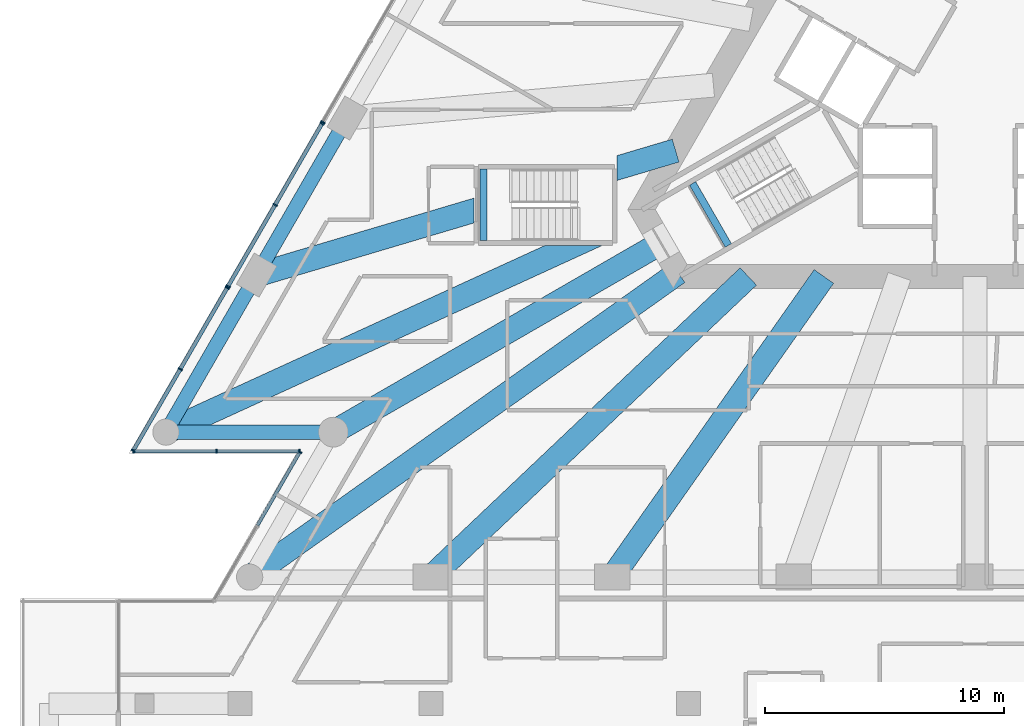
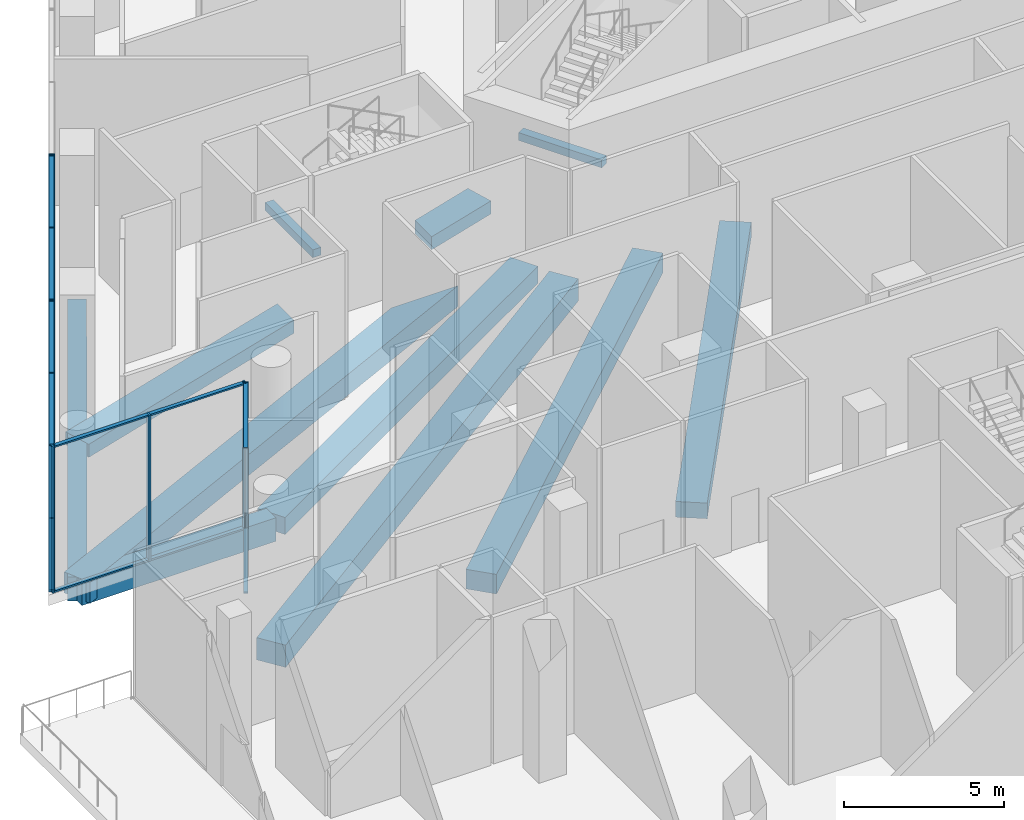
# One storey, part 9 of 36: 25 members, 12 beams, 5 elements without a shape of their own.
"""IFC4 building model written with IfcOpenShell, lengths in metres."""

from ifc_helpers import new_model, si_unit, direction, frame, origin, origin_2d, place, context, subcontext, project, spatial, rectangle, extrude, clip, halfspace, material, layer, layer_set, material_profile, profile_set, type_object, element, aggregate, save


model = new_model("IFC4")

# Units and contexts
model_context = context("Model", 3, precision=1e-05, world=origin(), true_north=direction((0.0, 1.0)))
body_context = subcontext(model_context, "Body", "Model", "MODEL_VIEW")
ifc_project = project(units=[si_unit("LENGTHUNIT", "METRE"), si_unit("AREAUNIT", "SQUARE_METRE"), si_unit("VOLUMEUNIT", "CUBIC_METRE"), si_unit("PLANEANGLEUNIT", "RADIAN"), si_unit("MASSUNIT", "GRAM", prefix="KILO")], contexts=[model_context])

# Site, building, storey
site_placement = place(None, origin())
site = spatial("IfcSite", under=ifc_project, at=site_placement, CompositionType="ELEMENT")
building_placement = place(site_placement, origin())
building = spatial("IfcBuilding", under=site, at=building_placement, Name="Triada Interchange Tower", CompositionType="ELEMENT")
storey_placement = place(building_placement, frame((0.0, 0.0, 8.5)))
storey = spatial("IfcBuildingStorey", under=building, at=storey_placement, Name="L01", CompositionType="ELEMENT", Elevation=8.5)

# Beams
ifc_material_1 = material(Name="Concrete C35/45", Category="concrete")
ifc_material_profile_1 = material_profile(ifc_material_1, rectangle(XDim=0.300048828125, YDim=0.300048828125, at=origin_2d()), Name="RC 300x300")
ifc_profile_set_1 = profile_set([ifc_material_profile_1], Name="Concrete C35/45")
beam_type_1 = type_object("IfcBeamType", Name="Landing support beam RC 300x300", PredefinedType="BEAM", material=ifc_profile_set_1)
beam_1_placement = place(storey_placement, frame((-11.8349609375, -5.10107421875, 2.491943359375), z_axis=(0.50002537861, -0.866010750942, 0.0), x_axis=(0.866010750942, 0.50002537861, 0.0)))
element("IfcBeam", 1, at=beam_1_placement, inside=storey, type_object=beam_type_1, Name="Landing support beam S01-2 1", PredefinedType="BEAM", context=body_context, shape_type="SweptSolid", body=[
    extrude(rectangle(XDim=0.300048828125, YDim=0.300048828125, at=origin_2d()), origin(), (0.0, 0.0, 1.0), 2.999755859375),
])
beam_2_placement = place(storey_placement, frame((-20.60009765625, -4.5, 2.491943359375), z_axis=(0.0, -1.0, 0.0), x_axis=(1.0, 0.0, 0.0)))
element("IfcBeam", 2, at=beam_2_placement, inside=storey, type_object=beam_type_1, Name="Landing support beam S01-6 1", PredefinedType="BEAM", context=body_context, shape_type="SweptSolid", body=[
    extrude(rectangle(XDim=0.300048828125, YDim=0.300048828125, at=origin_2d()), origin(), (0.0, 0.0, 1.0), 3.0),
])

# Curtain wall, member
ifc_material_2 = material(Name="Aluminium framed glazing", Category="aluminium")
ifc_layer_1 = layer(ifc_material_2, 0.199951171875)
ifc_layer_set_1 = layer_set([ifc_layer_1], Name="Curtain wall Concourse glazed screen")
curtain_wall_type_1 = type_object("IfcCurtainWallType", Name="Curtain wall Concourse glazed screen", PredefinedType="NOTDEFINED", material=ifc_layer_set_1)
curtain_wall_1_placement = place(storey_placement, origin())
curtain_wall_1 = element("IfcCurtainWall", 3, at=curtain_wall_1_placement, inside=storey, type_object=curtain_wall_type_1, Name="Concourse glazed screen CW032 L01", PredefinedType="NOTDEFINED")
ifc_material_3 = material(Name="Aluminium", Category="aluminium")
ifc_material_profile_2 = material_profile(ifc_material_3, rectangle(XDim=0.199951171875, YDim=0.06005859375, at=origin_2d()), Name="Aluminium mullion")
ifc_profile_set_2 = profile_set([ifc_material_profile_2], Name="Aluminium")
member_type_1 = type_object("IfcMemberType", Name="Mullion Concourse glazed screen 200x60", PredefinedType="MULLION", material=ifc_profile_set_2)
member_1_placement = place(storey_placement, frame((-27.326904296875, -2.531982421875, 0.0), z_axis=(0.0, 0.0, 1.0), x_axis=(0.866055473648, -0.499947913852, 0.0)))
member_1 = element("IfcMember", 4, at=member_1_placement, type_object=member_type_1, Name="CW032 mullion 3", PredefinedType="MULLION", context=body_context, shape_type="SweptSolid", body=[
    extrude(rectangle(XDim=0.199951171875, YDim=0.06005859375, at=origin_2d()), origin(), (0.0, 0.0, 1.0), 5.60009765625),
])
aggregate(curtain_wall_1, [member_1])

# Curtain wall, members
curtain_wall_2_placement = place(storey_placement, origin())
curtain_wall_2 = element("IfcCurtainWall", 5, at=curtain_wall_2_placement, inside=storey, type_object=curtain_wall_type_1, Name="Concourse glazed screen CW033 L01", PredefinedType="NOTDEFINED")
member_2_placement = place(storey_placement, frame((-27.363037109375, -2.593017578125, 0.0), z_axis=(0.0, 0.0, 1.0), x_axis=(0.866055473648, -0.499947913852, 0.0)))
member_2 = element("IfcMember", 6, at=member_2_placement, type_object=member_type_1, Name="CW033 mullion 1", PredefinedType="MULLION", context=body_context, shape_type="SweptSolid", body=[
    extrude(rectangle(XDim=0.199951171875, YDim=0.06005859375, at=origin_2d()), origin(), (0.0, 0.0, 1.0), 5.60009765625),
])
member_3_placement = place(storey_placement, frame((-29.33154296875, -6.0029296875, 0.0), z_axis=(0.0, 0.0, 1.0), x_axis=(0.866055473648, -0.499947913852, 0.0)))
member_3 = element("IfcMember", 7, at=member_3_placement, type_object=member_type_1, Name="CW033 mullion 2", PredefinedType="MULLION", context=body_context, shape_type="SweptSolid", body=[
    extrude(rectangle(XDim=0.199951171875, YDim=0.06005859375, at=origin_2d()), origin(), (0.0, 0.0, 1.0), 5.60009765625),
])
member_4_placement = place(storey_placement, frame((-31.300048828125, -9.4130859375, 0.0), z_axis=(0.0, 0.0, 1.0), x_axis=(0.866055473648, -0.499947913852, 0.0)))
member_4 = element("IfcMember", 8, at=member_4_placement, type_object=member_type_1, Name="CW033 mullion 3", PredefinedType="MULLION", context=body_context, shape_type="SweptSolid", body=[
    extrude(rectangle(XDim=0.199951171875, YDim=0.06005859375, at=origin_2d()), origin(), (0.0, 0.0, 1.0), 5.60009765625),
])

curtain_wall_3_placement = place(storey_placement, origin())
curtain_wall_3 = element("IfcCurtainWall", 9, at=curtain_wall_3_placement, inside=storey, type_object=curtain_wall_type_1, Name="Concourse glazed screen CW034 L01", PredefinedType="NOTDEFINED")
member_5_placement = place(storey_placement, frame((-31.3359375, -9.473876953125, 0.0), z_axis=(0.0, 0.0, 1.0), x_axis=(0.86604927658, -0.499958648825, 0.0)))
member_5 = element("IfcMember", 10, at=member_5_placement, type_object=member_type_1, Name="CW034 mullion 1", PredefinedType="MULLION", context=body_context, shape_type="SweptSolid", body=[
    extrude(rectangle(XDim=0.199951171875, YDim=0.06005859375, at=origin_2d()), origin(), (0.0, 0.0, 1.0), 5.60009765625),
])
member_6_placement = place(storey_placement, frame((-33.305908203125, -12.886474609375, 0.0), z_axis=(0.0, 0.0, 1.0), x_axis=(0.86604927658, -0.499958648825, 0.0)))
member_6 = element("IfcMember", 11, at=member_6_placement, type_object=member_type_1, Name="CW034 mullion 2", PredefinedType="MULLION", context=body_context, shape_type="SweptSolid", body=[
    extrude(rectangle(XDim=0.199951171875, YDim=0.06005859375, at=origin_2d()), origin(), (0.0, 0.0, 1.0), 5.60009765625),
])
member_7_placement = place(storey_placement, frame((-35.276123046875, -16.299072265625, 0.0), z_axis=(0.0, 0.0, 1.0), x_axis=(0.86604927658, -0.499958648825, 0.0)))
member_7 = element("IfcMember", 12, at=member_7_placement, type_object=member_type_1, Name="CW034 mullion 3", PredefinedType="MULLION", context=body_context, shape_type="SweptSolid", body=[
    extrude(rectangle(XDim=0.199951171875, YDim=0.06005859375, at=origin_2d()), origin(), (0.0, 0.0, 1.0), 5.60009765625),
])

ifc_layer_2 = layer(ifc_material_2, 0.199951171875)
ifc_layer_set_2 = layer_set([ifc_layer_2], Name="Curtain wall Tower lobby glazing")
curtain_wall_type_2 = type_object("IfcCurtainWallType", Name="Curtain wall Tower lobby glazing", PredefinedType="NOTDEFINED", material=ifc_layer_set_2)
curtain_wall_4_placement = place(storey_placement, origin())
curtain_wall_4 = element("IfcCurtainWall", 13, at=curtain_wall_4_placement, inside=storey, type_object=curtain_wall_type_2, Name="Tower lobby glazing CW035 L01", PredefinedType="NOTDEFINED")
ifc_material_profile_3 = material_profile(ifc_material_3, rectangle(XDim=0.179931640625, YDim=0.06005859375, at=origin_2d()), Name="Aluminium mullion")
ifc_profile_set_3 = profile_set([ifc_material_profile_3], Name="Aluminium")
member_type_2 = type_object("IfcMemberType", Name="Mullion Tower lobby glazing 180x60", PredefinedType="MULLION", material=ifc_profile_set_3)
member_8_placement = place(storey_placement, frame((-35.260986328125, -16.324951171875, 0.0), z_axis=(0.0, 0.0, 1.0), x_axis=(0.0, 1.0, 0.0)))
member_8 = element("IfcMember", 14, at=member_8_placement, type_object=member_type_2, Name="CW035 mullion 1", PredefinedType="MULLION", context=body_context, shape_type="SweptSolid", body=[
    extrude(rectangle(XDim=0.179931640625, YDim=0.06005859375, at=origin_2d()), origin(), (0.0, 0.0, 1.0), 5.60009765625),
])
member_9_placement = place(storey_placement, frame((-31.783447265625, -16.324951171875, 0.0), z_axis=(0.0, 0.0, 1.0), x_axis=(0.0, 1.0, 0.0)))
member_9 = element("IfcMember", 15, at=member_9_placement, type_object=member_type_2, Name="CW035 mullion 2", PredefinedType="MULLION", context=body_context, shape_type="SweptSolid", body=[
    extrude(rectangle(XDim=0.179931640625, YDim=0.06005859375, at=origin_2d()), origin(), (0.0, 0.0, 1.0), 5.60009765625),
])
member_10_placement = place(storey_placement, frame((-28.305908203125, -16.324951171875, 0.0), z_axis=(0.0, 0.0, 1.0), x_axis=(0.0, 1.0, 0.0)))
member_10 = element("IfcMember", 16, at=member_10_placement, type_object=member_type_2, Name="CW035 mullion 3", PredefinedType="MULLION", context=body_context, shape_type="SweptSolid", body=[
    extrude(rectangle(XDim=0.179931640625, YDim=0.06005859375, at=origin_2d()), origin(), (0.0, 0.0, 1.0), 5.60009765625),
])

# Curtain wall, member
curtain_wall_5_placement = place(storey_placement, origin())
curtain_wall_5 = element("IfcCurtainWall", 17, at=curtain_wall_5_placement, inside=storey, type_object=curtain_wall_type_2, Name="Tower lobby glazing CW036 L01", PredefinedType="NOTDEFINED")
member_11_placement = place(storey_placement, frame((-28.291015625, -16.35107421875, 0.0), z_axis=(0.0, 0.0, 1.0), x_axis=(0.866077569894, -0.499909634761, 0.0)))
member_11 = element("IfcMember", 18, at=member_11_placement, type_object=member_type_2, Name="CW036 mullion 1", PredefinedType="MULLION", context=body_context, shape_type="SweptSolid", body=[
    extrude(rectangle(XDim=0.179931640625, YDim=0.06005859375, at=origin_2d()), origin(), (0.0, 0.0, 1.0), 5.60009765625),
])

# Beams
ifc_material_4 = material(Name="Concrete C50/60", Category="concrete")
ifc_material_profile_4 = material_profile(ifc_material_4, rectangle(XDim=1.0, YDim=0.5, at=origin_2d()), Name="RC 1000x500")
ifc_profile_set_4 = profile_set([ifc_material_profile_4], Name="Concrete C50/60")
beam_type_2 = type_object("IfcBeamType", Name="Radial band beam P RC 1000x500", PredefinedType="BEAM", material=ifc_profile_set_4)
beam_3_placement = place(storey_placement, frame((-30.10498046875, -8.944091796875, -0.64990234375), z_axis=(0.958593857604, 0.284776783049, 0.0), x_axis=(-0.284776783049, 0.958593857604, 0.0)))
element("IfcBeam", 19, at=beam_3_placement, inside=storey, type_object=beam_type_2, Name="Radial band beam BP08A L01", PredefinedType="BEAM", context=body_context, shape_type="Clipping", body=[
    clip(extrude(rectangle(XDim=1.0, YDim=0.5, at=origin_2d()), origin(), (0.0, 0.0, 1.0), 10.998291015625), halfspace(frame((-1.400146484375, -7.85009765625, 9.082275390625), z_axis=(-0.284776783049, 0.0, 0.958593857604), x_axis=(0.0, 1.0, 0.0)), False)),
])
beam_4_placement = place(storey_placement, frame((-16.43798828125, -4.884033203125, -0.64990234375), z_axis=(0.95858381739, 0.284810577468, 0.0), x_axis=(-0.284810577468, 0.95858381739, 0.0)))
element("IfcBeam", 20, at=beam_4_placement, inside=storey, type_object=beam_type_2, Name="Radial band beam BP08B L01", PredefinedType="BEAM", context=body_context, shape_type="Clipping", body=[
    clip(extrude(rectangle(XDim=1.0, YDim=0.5, at=origin_2d()), origin(), (0.0, 0.0, 1.0), 4.062255859375), halfspace(frame((0.150146484375, -7.85009765625, 1.544677734375), z_axis=(0.284810577468, 0.0, -0.95858381739), x_axis=(0.0, -1.0, 0.0)), False)),
])
ifc_material_profile_5 = material_profile(ifc_material_4, rectangle(XDim=1.0, YDim=0.60009765625, at=origin_2d()), Name="RC 1000x600")
ifc_profile_set_5 = profile_set([ifc_material_profile_5], Name="Concrete C50/60")
beam_type_3 = type_object("IfcBeamType", Name="Radial band beam P RC 1000x600", PredefinedType="BEAM", material=ifc_profile_set_5)
beam_5_placement = place(storey_placement, frame((-15.197998046875, -21.60009765625, -0.699951171875), z_axis=(0.575460041142, 0.81782989738, 0.0), x_axis=(-0.81782989738, 0.575460041142, 0.0)))
element("IfcBeam", 21, at=beam_5_placement, inside=storey, type_object=beam_type_3, Name="Radial band beam BP13 L01", PredefinedType="BEAM", context=body_context, shape_type="SweptSolid", body=[
    extrude(rectangle(XDim=1.0, YDim=0.60009765625, at=origin_2d()), origin(), (0.0, 0.0, 1.0), 15.40673828125),
])
ifc_material_profile_6 = material_profile(ifc_material_4, rectangle(XDim=1.0, YDim=0.64990234375, at=origin_2d()), Name="RC 1000x650")
ifc_profile_set_6 = profile_set([ifc_material_profile_6], Name="Concrete C50/60")
beam_type_4 = type_object("IfcBeamType", Name="Radial band beam P RC 1000x650", PredefinedType="BEAM", material=ifc_profile_set_6)
beam_6_placement = place(storey_placement, frame((-26.889892578125, -15.52490234375, -0.72509765625), z_axis=(0.866020130944, 0.500009132716, 0.0), x_axis=(-0.500009132716, 0.866020130944, 0.0)))
element("IfcBeam", 22, at=beam_6_placement, inside=storey, type_object=beam_type_4, Name="Radial band beam BP10 L01", PredefinedType="BEAM", context=body_context, shape_type="SweptSolid", body=[
    extrude(rectangle(XDim=1.0, YDim=0.64990234375, at=origin_2d()), origin(), (0.0, 0.0, 1.0), 15.849365234375),
])
ifc_material_profile_7 = material_profile(ifc_material_4, rectangle(XDim=1.0, YDim=0.75, at=origin_2d()), Name="RC 1000x750")
ifc_profile_set_7 = profile_set([ifc_material_profile_7], Name="Concrete C50/60")
beam_type_5 = type_object("IfcBeamType", Name="Radial band beam P RC 1000x750", PredefinedType="BEAM", material=ifc_profile_set_7)
beam_7_placement = place(storey_placement, frame((-22.798095703125, -21.60009765625, -0.77490234375), z_axis=(0.725926069578, 0.687772739723, 0.0), x_axis=(-0.687772739723, 0.725926069578, 0.0)))
element("IfcBeam", 23, at=beam_7_placement, inside=storey, type_object=beam_type_5, Name="Radial band beam BP12 L01", PredefinedType="BEAM", context=body_context, shape_type="SweptSolid", body=[
    extrude(rectangle(XDim=1.0, YDim=0.75, at=origin_2d()), origin(), (0.0, 0.0, 1.0), 18.320068359375),
])
ifc_material_profile_8 = material_profile(ifc_material_4, rectangle(XDim=1.0, YDim=0.800048828125, at=origin_2d()), Name="RC 1000x800")
ifc_profile_set_8 = profile_set([ifc_material_profile_8], Name="Concrete C50/60")
beam_type_6 = type_object("IfcBeamType", Name="Radial band beam P RC 1000x800", PredefinedType="BEAM", material=ifc_profile_set_8)
beam_8_placement = place(storey_placement, frame((-33.905029296875, -15.52490234375, -0.800048828125), z_axis=(0.909200707798, 0.41635810661, 0.0), x_axis=(-0.41635810661, 0.909200707798, 0.0)))
element("IfcBeam", 24, at=beam_8_placement, inside=storey, type_object=beam_type_6, Name="Radial band beam BP09A L01", PredefinedType="BEAM", context=body_context, shape_type="Clipping", body=[
    clip(extrude(rectangle(XDim=1.0, YDim=0.800048828125, at=origin_2d()), origin(), (0.0, 0.0, 1.0), 20.294921875), halfspace(frame((-0.7568359375, -7.699951171875, 20.446533203125), z_axis=(0.909200707798, 0.0, 0.41635810661), x_axis=(0.0, -1.0, 0.0)), False)),
])
ifc_material_profile_9 = material_profile(ifc_material_4, rectangle(XDim=1.0, YDim=0.85009765625, at=origin_2d()), Name="RC 1000x850")
ifc_profile_set_9 = profile_set([ifc_material_profile_9], Name="Concrete C50/60")
beam_type_7 = type_object("IfcBeamType", Name="Radial band beam P RC 1000x850", PredefinedType="BEAM", material=ifc_profile_set_9)
beam_9_placement = place(storey_placement, frame((-30.39697265625, -21.60009765625, -0.824951171875), z_axis=(0.815163189691, 0.579231364977, 0.0), x_axis=(-0.579231364977, 0.815163189691, 0.0)))
element("IfcBeam", 25, at=beam_9_placement, inside=storey, type_object=beam_type_7, Name="Radial band beam BP11 L01", PredefinedType="BEAM", context=body_context, shape_type="SweptSolid", body=[
    extrude(rectangle(XDim=1.0, YDim=0.85009765625, at=origin_2d()), origin(), (0.0, 0.0, 1.0), 22.0224609375),
])
ifc_material_profile_10 = material_profile(ifc_material_4, rectangle(XDim=0.60009765625, YDim=0.89990234375, at=origin_2d()), Name="RC 600x900")
ifc_profile_set_10 = profile_set([ifc_material_profile_10], Name="Concrete C50/60")
beam_type_8 = type_object("IfcBeamType", Name="Spandrel beam P RC 600x900", PredefinedType="BEAM", material=ifc_profile_set_10)
beam_10_placement = place(storey_placement, frame((-26.305908203125, -2.362060546875, -0.85009765625), z_axis=(-0.499894869559, -0.866086092366, 0.0), x_axis=(0.866086092366, -0.499894869559, 0.0)))
element("IfcBeam", 26, at=beam_10_placement, inside=storey, type_object=beam_type_8, Name="Spandrel beam EP07 L01", PredefinedType="BEAM", context=body_context, shape_type="SweptSolid", body=[
    extrude(rectangle(XDim=0.60009765625, YDim=0.89990234375, at=origin_2d()), origin(), (0.0, 0.0, 1.0), 7.599853515625),
])
beam_11_placement = place(storey_placement, frame((-30.10498046875, -8.944091796875, -0.85009765625), z_axis=(-0.500060803479, -0.865990296034, 0.0), x_axis=(0.865990296034, -0.500060803479, 0.0)))
element("IfcBeam", 27, at=beam_11_placement, inside=storey, type_object=beam_type_8, Name="Spandrel beam EP08 L01", PredefinedType="BEAM", context=body_context, shape_type="SweptSolid", body=[
    extrude(rectangle(XDim=0.60009765625, YDim=0.89990234375, at=origin_2d()), origin(), (0.0, 0.0, 1.0), 7.59912109375),
])
beam_12_placement = place(storey_placement, frame((-33.905029296875, -15.52490234375, -0.85009765625), z_axis=(1.0, 0.0, 0.0), x_axis=(0.0, 1.0, 0.0)))
element("IfcBeam", 28, at=beam_12_placement, inside=storey, type_object=beam_type_8, Name="Spandrel beam EP09 L01", PredefinedType="BEAM", context=body_context, shape_type="SweptSolid", body=[
    extrude(rectangle(XDim=0.60009765625, YDim=0.89990234375, at=origin_2d()), origin(), (0.0, 0.0, 1.0), 7.01513671875),
])

# Member
ifc_material_profile_11 = material_profile(ifc_material_3, rectangle(XDim=0.159912109375, YDim=0.06005859375, at=origin_2d()), Name="Aluminium transom")
ifc_profile_set_11 = profile_set([ifc_material_profile_11], Name="Aluminium")
member_type_3 = type_object("IfcMemberType", Name="Transom Concourse glazed screen 160x60", PredefinedType="USERDEFINED", material=ifc_profile_set_11)
member_12_placement = place(storey_placement, frame((-27.3779296875, -2.618896484375, 0.030029296875), z_axis=(-0.499931386026, -0.866065014457, 0.0), x_axis=(0.866065014457, -0.499931386026, 0.0)))
member_12 = element("IfcMember", 29, at=member_12_placement, type_object=member_type_3, Name="CW033 transom 1.1", ObjectType="TRANSOM", PredefinedType="USERDEFINED", context=body_context, shape_type="SweptSolid", body=[
    extrude(rectangle(XDim=0.159912109375, YDim=0.06005859375, at=origin_2d()), origin(), (0.0, 0.0, 1.0), 3.87744140625),
])

member_13_placement = place(storey_placement, frame((-27.3779296875, -2.618896484375, 5.570068359375), z_axis=(-0.499931386026, -0.866065014457, 0.0), x_axis=(0.866065014457, -0.499931386026, 0.0)))
member_13 = element("IfcMember", 30, at=member_13_placement, type_object=member_type_3, Name="CW033 transom 1.2", ObjectType="TRANSOM", PredefinedType="USERDEFINED", context=body_context, shape_type="SweptSolid", body=[
    extrude(rectangle(XDim=0.159912109375, YDim=0.06005859375, at=origin_2d()), origin(), (0.0, 0.0, 1.0), 3.87744140625),
])

member_14_placement = place(storey_placement, frame((-29.346435546875, -6.029052734375, 0.030029296875), z_axis=(-0.499958648831, -0.866049276577, 0.0), x_axis=(0.866049276577, -0.499958648831, 0.0)))
member_14 = element("IfcMember", 31, at=member_14_placement, type_object=member_type_3, Name="CW033 transom 2.1", ObjectType="TRANSOM", PredefinedType="USERDEFINED", context=body_context, shape_type="SweptSolid", body=[
    extrude(rectangle(XDim=0.159912109375, YDim=0.06005859375, at=origin_2d()), origin(), (0.0, 0.0, 1.0), 3.877197265625),
])

member_15_placement = place(storey_placement, frame((-29.346435546875, -6.029052734375, 5.570068359375), z_axis=(-0.499958648831, -0.866049276577, 0.0), x_axis=(0.866049276577, -0.499958648831, 0.0)))
member_15 = element("IfcMember", 32, at=member_15_placement, type_object=member_type_3, Name="CW033 transom 2.2", ObjectType="TRANSOM", PredefinedType="USERDEFINED", context=body_context, shape_type="SweptSolid", body=[
    extrude(rectangle(XDim=0.159912109375, YDim=0.06005859375, at=origin_2d()), origin(), (0.0, 0.0, 1.0), 3.877197265625),
])

aggregate(curtain_wall_2, [member_2, member_3, member_4, member_12, member_13, member_14, member_15])

member_16_placement = place(storey_placement, frame((-31.35107421875, -9.5, 0.030029296875), z_axis=(-0.499942124791, -0.866058815473, 0.0), x_axis=(0.866058815473, -0.499942124791, 0.0)))
member_16 = element("IfcMember", 33, at=member_16_placement, type_object=member_type_3, Name="CW034 transom 1.1", ObjectType="TRANSOM", PredefinedType="USERDEFINED", context=body_context, shape_type="SweptSolid", body=[
    extrude(rectangle(XDim=0.159912109375, YDim=0.06005859375, at=origin_2d()), origin(), (0.0, 0.0, 1.0), 3.88037109375),
])

member_17_placement = place(storey_placement, frame((-31.35107421875, -9.5, 5.570068359375), z_axis=(-0.499942124791, -0.866058815473, 0.0), x_axis=(0.866058815473, -0.499942124791, 0.0)))
member_17 = element("IfcMember", 34, at=member_17_placement, type_object=member_type_3, Name="CW034 transom 1.2", ObjectType="TRANSOM", PredefinedType="USERDEFINED", context=body_context, shape_type="SweptSolid", body=[
    extrude(rectangle(XDim=0.159912109375, YDim=0.06005859375, at=origin_2d()), origin(), (0.0, 0.0, 1.0), 3.88037109375),
])

member_18_placement = place(storey_placement, frame((-33.321044921875, -12.91259765625, 0.030029296875), z_axis=(-0.499969367985, -0.866043088465, 0.0), x_axis=(0.866043088465, -0.499969367985, 0.0)))
member_18 = element("IfcMember", 35, at=member_18_placement, type_object=member_type_3, Name="CW034 transom 2.1", ObjectType="TRANSOM", PredefinedType="USERDEFINED", context=body_context, shape_type="SweptSolid", body=[
    extrude(rectangle(XDim=0.159912109375, YDim=0.06005859375, at=origin_2d()), origin(), (0.0, 0.0, 1.0), 3.880126953125),
])

member_19_placement = place(storey_placement, frame((-33.321044921875, -12.91259765625, 5.570068359375), z_axis=(-0.499969367985, -0.866043088465, 0.0), x_axis=(0.866043088465, -0.499969367985, 0.0)))
member_19 = element("IfcMember", 36, at=member_19_placement, type_object=member_type_3, Name="CW034 transom 2.2", ObjectType="TRANSOM", PredefinedType="USERDEFINED", context=body_context, shape_type="SweptSolid", body=[
    extrude(rectangle(XDim=0.159912109375, YDim=0.06005859375, at=origin_2d()), origin(), (0.0, 0.0, 1.0), 3.880126953125),
])

aggregate(curtain_wall_3, [member_5, member_6, member_7, member_16, member_17, member_18, member_19])

ifc_material_profile_12 = material_profile(ifc_material_3, rectangle(XDim=0.139892578125, YDim=0.06005859375, at=origin_2d()), Name="Aluminium transom")
ifc_profile_set_12 = profile_set([ifc_material_profile_12], Name="Aluminium")
member_type_4 = type_object("IfcMemberType", Name="Transom Tower lobby glazing 140x60", PredefinedType="USERDEFINED", material=ifc_profile_set_12)
member_20_placement = place(storey_placement, frame((-35.23095703125, -16.324951171875, 0.030029296875), z_axis=(1.0, 0.0, 0.0), x_axis=(0.0, 1.0, 0.0)))
member_20 = element("IfcMember", 37, at=member_20_placement, type_object=member_type_4, Name="CW035 transom 1.1", ObjectType="TRANSOM", PredefinedType="USERDEFINED", context=body_context, shape_type="SweptSolid", body=[
    extrude(rectangle(XDim=0.139892578125, YDim=0.06005859375, at=origin_2d()), origin(), (0.0, 0.0, 1.0), 3.41748046875),
])

member_21_placement = place(storey_placement, frame((-35.23095703125, -16.324951171875, 5.570068359375), z_axis=(1.0, 0.0, 0.0), x_axis=(0.0, 1.0, 0.0)))
member_21 = element("IfcMember", 38, at=member_21_placement, type_object=member_type_4, Name="CW035 transom 1.2", ObjectType="TRANSOM", PredefinedType="USERDEFINED", context=body_context, shape_type="SweptSolid", body=[
    extrude(rectangle(XDim=0.139892578125, YDim=0.06005859375, at=origin_2d()), origin(), (0.0, 0.0, 1.0), 3.41748046875),
])

member_22_placement = place(storey_placement, frame((-31.75341796875, -16.324951171875, 0.030029296875), z_axis=(1.0, 0.0, 0.0), x_axis=(0.0, 1.0, 0.0)))
member_22 = element("IfcMember", 39, at=member_22_placement, type_object=member_type_4, Name="CW035 transom 2.1", ObjectType="TRANSOM", PredefinedType="USERDEFINED", context=body_context, shape_type="SweptSolid", body=[
    extrude(rectangle(XDim=0.139892578125, YDim=0.06005859375, at=origin_2d()), origin(), (0.0, 0.0, 1.0), 3.41748046875),
])

member_23_placement = place(storey_placement, frame((-31.75341796875, -16.324951171875, 5.570068359375), z_axis=(1.0, 0.0, 0.0), x_axis=(0.0, 1.0, 0.0)))
member_23 = element("IfcMember", 40, at=member_23_placement, type_object=member_type_4, Name="CW035 transom 2.2", ObjectType="TRANSOM", PredefinedType="USERDEFINED", context=body_context, shape_type="SweptSolid", body=[
    extrude(rectangle(XDim=0.139892578125, YDim=0.06005859375, at=origin_2d()), origin(), (0.0, 0.0, 1.0), 3.41748046875),
])

aggregate(curtain_wall_4, [member_8, member_9, member_10, member_20, member_21, member_22, member_23])

member_24_placement = place(storey_placement, frame((-28.305908203125, -16.376953125, 0.030029296875), z_axis=(-0.499929840932, -0.866065906352, 0.0), x_axis=(0.866065906352, -0.499929840932, 0.0)))
member_24 = element("IfcMember", 41, at=member_24_placement, type_object=member_type_4, Name="CW036 transom 1.1", ObjectType="TRANSOM", PredefinedType="USERDEFINED", context=body_context, shape_type="SweptSolid", body=[
    extrude(rectangle(XDim=0.139892578125, YDim=0.06005859375, at=origin_2d()), origin(), (0.0, 0.0, 1.0), 3.53271484375),
])

member_25_placement = place(storey_placement, frame((-28.305908203125, -16.376953125, 5.570068359375), z_axis=(-0.499929840932, -0.866065906352, 0.0), x_axis=(0.866065906352, -0.499929840932, 0.0)))
member_25 = element("IfcMember", 42, at=member_25_placement, type_object=member_type_4, Name="CW036 transom 1.2", ObjectType="TRANSOM", PredefinedType="USERDEFINED", context=body_context, shape_type="SweptSolid", body=[
    extrude(rectangle(XDim=0.139892578125, YDim=0.06005859375, at=origin_2d()), origin(), (0.0, 0.0, 1.0), 3.53271484375),
])

aggregate(curtain_wall_5, [member_11, member_24, member_25])

save(model, "model.ifc")
